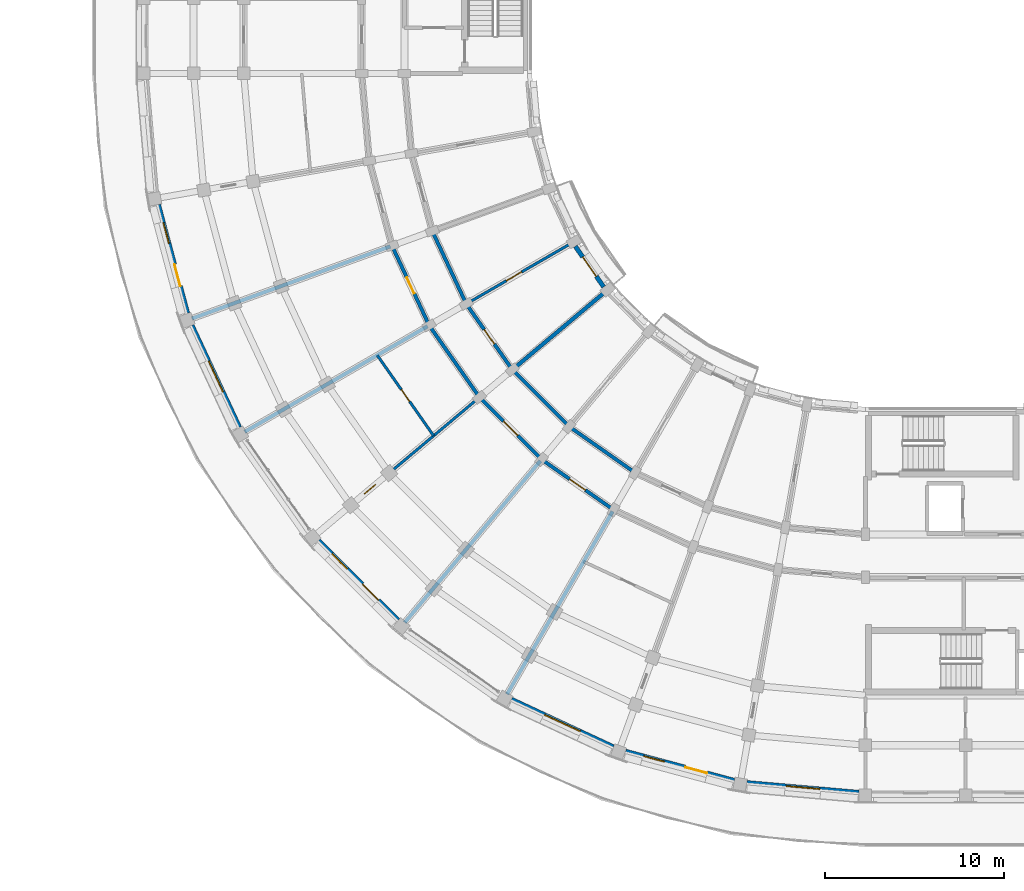
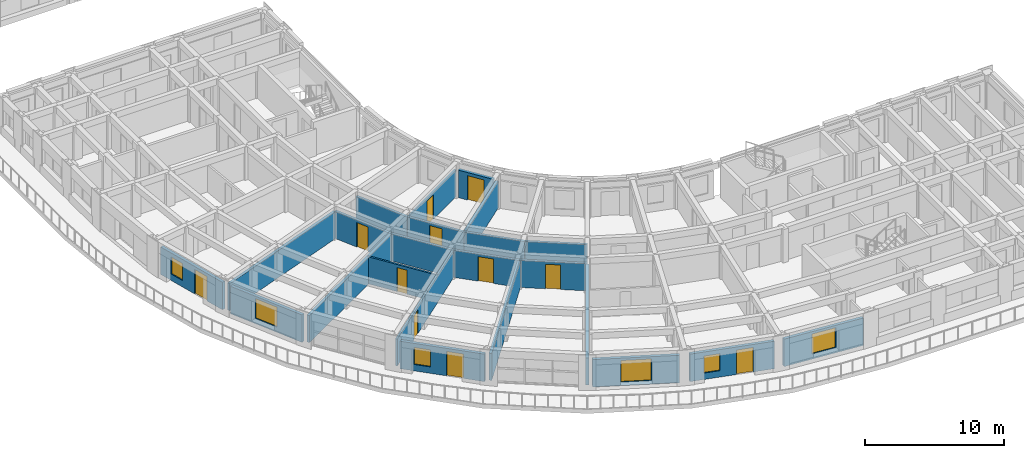
# One storey, part 17 of 57: 23 walls, 11 doors, 6 windows, 17 openings.
"""IFC4 building model written with IfcOpenShell, lengths in metres."""

import ifcopenshell
import ifcopenshell.guid

model = None  # the IFC model being written
_history = None  # IfcOwnerHistory: only IFC2X3 demands one
_inside = {}  # id of a spatial element -> (the spatial element, [elements in it])
_under = {}  # id of a project, library or spatial element -> (it, [spatial elements below it])
_declared = {}  # id of a project -> (the project, [libraries it declares])
_typed = {}  # id of a type object -> (the type object, [elements of that type])
_made_of = {}  # id of a material, layer set ... -> (it, [elements and type objects made of it])


def new_model(schema):
    """Start an empty IFC model of exactly this schema.

    Asked for "IFC4X3", IfcOpenShell would pick the latest addendum, in which some entities
    have other attributes; the version numbers below select the first issue.
    IFC2X3 requires an IfcOwnerHistory on every rooted entity: one is made here for all.
    """
    global model, _history
    if schema == "IFC4X3":
        model = ifcopenshell.file(schema_version=(4, 3, 0, 0))
    else:
        model = ifcopenshell.file(schema=schema)
    _inside.clear()
    _under.clear()
    _declared.clear()
    _typed.clear()
    _made_of.clear()
    _history = None
    if model.schema == "IFC2X3":
        org = make("IfcOrganization", Name="unknown")
        user = make(
            "IfcPersonAndOrganization",
            ThePerson=make("IfcPerson", FamilyName="unknown"),
            TheOrganization=org,
        )
        app = make(
            "IfcApplication",
            ApplicationDeveloper=org,
            Version="unknown",
            ApplicationFullName="unknown",
            ApplicationIdentifier="unknown",
        )
        _history = make(
            "IfcOwnerHistory",
            OwningUser=user,
            OwningApplication=app,
            ChangeAction="ADDED",
            CreationDate=0,
        )
    return model


def make(cls, **values):
    """One entity of the class cls with the attributes given. An attribute that is None is left unset."""
    return model.create_entity(
        cls, **{name: value for name, value in values.items() if value is not None}
    )


def rooted(cls, **values):
    """An entity with a GlobalId (a new one), such as an element, a storey or a relation."""
    return make(cls, GlobalId=ifcopenshell.guid.new(), OwnerHistory=_history, **values)


def si_unit(unit_type, name, prefix=None):
    """IfcSIUnit, for example si_unit("LENGTHUNIT", "METRE", prefix="MILLI")."""
    return make("IfcSIUnit", UnitType=unit_type, Prefix=prefix, Name=name)


def assignment(units):
    """IfcUnitAssignment: the units of a project."""
    return None if units is None else make("IfcUnitAssignment", Units=units)


def point(xyz):
    """IfcCartesianPoint."""
    return None if xyz is None else make("IfcCartesianPoint", Coordinates=xyz)


def direction(xyz):
    """IfcDirection."""
    return None if xyz is None else make("IfcDirection", DirectionRatios=xyz)


def frame(location, z_axis=None, x_axis=None):
    """IfcAxis2Placement3D, a coordinate frame: its origin and axes. An axis left out is left unset."""
    return make(
        "IfcAxis2Placement3D",
        Location=point(location),
        Axis=direction(z_axis),
        RefDirection=direction(x_axis),
    )


def frame_2d(location, x_axis=None):
    """IfcAxis2Placement2D, a coordinate frame in the plane: its origin and x axis."""
    return make(
        "IfcAxis2Placement2D", Location=point(location), RefDirection=direction(x_axis)
    )


def origin():
    """The frame at (0, 0, 0) with its axes left unset."""
    return frame((0.0, 0.0, 0.0))


def place(relative_to, where):
    """IfcLocalPlacement: puts the frame where relative to a parent placement (None: the world)."""
    return make(
        "IfcLocalPlacement", PlacementRelTo=relative_to, RelativePlacement=where
    )


def context(
    kind, dimensions, precision=None, world=None, true_north=None, identifier=None
):
    """IfcGeometricRepresentationContext, for example the 3D "Model" context."""
    return make(
        "IfcGeometricRepresentationContext",
        ContextIdentifier=identifier,
        ContextType=kind,
        CoordinateSpaceDimension=dimensions,
        Precision=precision,
        WorldCoordinateSystem=world,
        TrueNorth=true_north,
    )


def subcontext(parent, identifier, kind, view, scale=None):
    """IfcGeometricRepresentationSubContext, for example "Body" below "Model"."""
    return make(
        "IfcGeometricRepresentationSubContext",
        ContextIdentifier=identifier,
        ContextType=kind,
        ParentContext=parent,
        TargetScale=scale,
        TargetView=view,
    )


def project(units=None, contexts=None):
    """IfcProject with its units and contexts."""
    return rooted(
        "IfcProject",
        Name="project",
        RepresentationContexts=contexts,
        UnitsInContext=assignment(units),
    )


def spatial(cls, under=None, at=None, **own):
    """A site, building, storey or space (cls), placed at a placement, below another one or the project."""
    s = rooted(cls, ObjectPlacement=at, **own)
    if under is not None:
        _under.setdefault(under.id(), (under, []))[1].append(s)
    return s


def profile(cls, at=None, kind="AREA", **sizes):
    """A parametric profile (cls). Its sizes go by their IFC names, for example OverallWidth=200.0."""
    return make(cls, ProfileType=kind, Position=at, **sizes)


def rectangle(**sizes):
    """IfcRectangleProfileDef."""
    return profile("IfcRectangleProfileDef", **sizes)


def extrude(swept, where, along, depth):
    """IfcExtrudedAreaSolid: the profile swept, set in the frame where, extruded along a direction by depth."""
    return make(
        "IfcExtrudedAreaSolid",
        SweptArea=swept,
        Position=where,
        ExtrudedDirection=direction(along),
        Depth=depth,
    )


def shape(context_of_items, identifier, shape_type, items):
    """IfcShapeRepresentation: the items that make up one representation, for example the "Body"."""
    return make(
        "IfcShapeRepresentation",
        ContextOfItems=context_of_items,
        RepresentationIdentifier=identifier,
        RepresentationType=shape_type,
        Items=items,
    )


def material(Name=None, Category=None):
    """IfcMaterial."""
    return make("IfcMaterial", Name=Name, Category=Category)


def layer(
    of_material, thickness, ventilated=None, Name=None, Category=None, Priority=None
):
    """IfcMaterialLayer: one layer of a wall or slab, of a material (None: an air gap)."""
    return make(
        "IfcMaterialLayer",
        Material=of_material,
        LayerThickness=thickness,
        IsVentilated=ventilated,
        Name=Name,
        Category=Category,
        Priority=Priority,
    )


def layer_set(layers, Name=None):
    """IfcMaterialLayerSet."""
    return make("IfcMaterialLayerSet", MaterialLayers=layers, LayerSetName=Name)


def made_of(thing, what):
    """Note that an element or type object is made of a material, layer set ...; save() writes the relation."""
    if what is not None:
        _made_of.setdefault(what.id(), (what, []))[1].append(thing)
    return thing


def type_object(cls, material=None, **own):
    """A type object (cls), such as IfcWallType, which elements share."""
    return made_of(rooted(cls, **own), material)


def element(
    cls,
    number,
    at=None,
    inside=None,
    cuts=None,
    type_object=None,
    material=None,
    context=None,
    identifier="Body",
    shape_type=None,
    held_by="IfcProductDefinitionShape",
    body=None,
    shapes=None,
    **own,
):
    """One element of the class cls, such as IfcWall. Its Tag is "e" and its number.

    at: its placement. inside: the storey or other place that contains it. cuts: it is an
    opening in that element (IfcRelVoidsElement). A single representation is given by context,
    identifier, shape_type and body (its items); several are given by shapes. held_by: the class
    of the entity that holds the representations. save() writes the other relations.
    """
    e = rooted(cls, Tag="e%d" % number, ObjectPlacement=at, **own)
    if body is not None:
        shapes = [shape(context, identifier, shape_type, body)]
    if shapes is not None:
        e.Representation = make(held_by, Representations=shapes)
    if inside is not None:
        _inside.setdefault(inside.id(), (inside, []))[1].append(e)
    if cuts is not None:
        rooted(
            "IfcRelVoidsElement", RelatingBuildingElement=cuts, RelatedOpeningElement=e
        )
    if type_object is not None:
        _typed.setdefault(type_object.id(), (type_object, []))[1].append(e)
    return made_of(e, material)


def fill(opening, filler):
    """IfcRelFillsElement: the door or window that sits in an opening."""
    return rooted(
        "IfcRelFillsElement",
        RelatingOpeningElement=opening,
        RelatedBuildingElement=filler,
    )


def aggregate(whole, parts):
    """IfcRelAggregates: a whole, such as a stair, and the parts it consists of."""
    return rooted("IfcRelAggregates", RelatingObject=whole, RelatedObjects=parts)


def save(model, path):
    """Write the relations noted so far, then the file.

    IfcRelAggregates (storeys below a building ...), IfcRelContainedInSpatialStructure (elements
    in a storey), IfcRelDefinesByType, IfcRelAssociatesMaterial and IfcRelDeclares: one each for
    every whole, place, type object, material and project.
    """
    for whole, parts in _under.values():
        aggregate(whole, parts)
    for where, things in _inside.values():
        rooted(
            "IfcRelContainedInSpatialStructure",
            RelatedElements=things,
            RelatingStructure=where,
        )
    for kind, things in _typed.values():
        rooted("IfcRelDefinesByType", RelatedObjects=things, RelatingType=kind)
    for what, things in _made_of.values():
        rooted("IfcRelAssociatesMaterial", RelatedObjects=things, RelatingMaterial=what)
    for by, libraries in _declared.values():
        rooted("IfcRelDeclares", RelatingContext=by, RelatedDefinitions=libraries)
    model.write(path)


model = new_model("IFC4")

# Units and contexts
model_context = context("Model", 3, precision=1e-05, world=origin(), true_north=direction((0.0, 1.0)))
body_context = subcontext(model_context, "Body", "Model", "MODEL_VIEW")
ifc_project = project(units=[si_unit("LENGTHUNIT", "METRE"), si_unit("AREAUNIT", "SQUARE_METRE"), si_unit("VOLUMEUNIT", "CUBIC_METRE"), si_unit("PLANEANGLEUNIT", "RADIAN"), si_unit("MASSUNIT", "GRAM", prefix="KILO")], contexts=[model_context])

# Site, building, storey
site_placement = place(None, origin())
site = spatial("IfcSite", under=ifc_project, at=site_placement, CompositionType="ELEMENT")
building_placement = place(site_placement, origin())
building = spatial("IfcBuilding", under=site, at=building_placement, Name="Kiranvali Square Residences", CompositionType="ELEMENT")
storey_placement = place(building_placement, frame((0.0, 0.0, 24.449951171875)))
storey = spatial("IfcBuildingStorey", under=building, at=storey_placement, Name="L07", CompositionType="ELEMENT", Elevation=24.449951171875)

# Wall
ifc_material_1 = material(Name="Autoclaved aerated concrete blockwork masonry", Category="masonry")
ifc_layer_1 = layer(ifc_material_1, 0.199951171875)
ifc_layer_set_1 = layer_set([ifc_layer_1], Name="Autoclaved aerated concrete blockwork masonry")
wall_type_1 = type_object("IfcWallType", Name="WL-COR-200", PredefinedType="STANDARD", material=ifc_layer_set_1)
wall_1_placement = place(storey_placement, frame((35.300048828125, 25.8564453125, 0.0), z_axis=(0.0, 0.0, 1.0), x_axis=(-0.819155404658, 0.573571637217, 0.0)))
element("IfcWall", 1, at=wall_1_placement, inside=storey, type_object=wall_type_1, Name="L07 architectural wall WL-L07-C-CCI-3", PredefinedType="STANDARD", context=body_context, shape_type="SweptSolid", body=[
    extrude(rectangle(XDim=4.497314453125, YDim=0.199951171875, at=frame_2d((2.24853515625, 0.0))), origin(), (0.0, 0.0, 1.0), 2.3720703125),
])

# Wall, opening, door
wall_2_placement = place(storey_placement, frame((34.10009765625, 23.778076171875, 0.0), z_axis=(0.0, 0.0, 1.0), x_axis=(-0.819140911474, 0.573592335331, 0.0)))
wall_2 = element("IfcWall", 2, at=wall_2_placement, inside=storey, type_object=wall_type_1, Name="L07 architectural wall WL-L07-C-CCO-3", PredefinedType="STANDARD", context=body_context, shape_type="SweptSolid", body=[
    extrude(rectangle(XDim=4.915771484375, YDim=0.199951171875, at=frame_2d((2.4580078125, 0.0))), origin(), (0.0, 0.0, 1.0), 2.3720703125),
])
opening_1_placement = place(wall_2_placement, frame((1.917724609375, 0.0, 0.0)))
opening_1 = element("IfcOpeningElement", 3, at=opening_1_placement, cuts=wall_2, Name="Opening FD-APT-60C", PredefinedType="OPENING", context=body_context, shape_type="SweptSolid", body=[
    extrude(rectangle(XDim=1.080078125, YDim=2.14990234375, at=frame_2d((0.5400390625, 1.074951171875))), frame((0.0, 0.10986328125, 0.0), z_axis=(0.0, -1.0, 0.0), x_axis=(1.0, 0.0, 0.0)), (0.0, 0.0, 1.0), 0.219970703125),
])
ifc_material_2 = material(Name="Fire-rated acoustic hardwood and mineral-core door assembly", Category="wood")
door_type_1 = type_object("IfcDoorType", Name="DR-APT-1080", OperationType="NOTDEFINED", PredefinedType="DOOR", material=ifc_material_2)
door_1_placement = place(opening_1_placement, origin())
door_1 = element("IfcDoor", 4, at=door_1_placement, inside=storey, type_object=door_type_1, Name="L07 door DR-L07-2179 (DR-APT-1080)", OperationType="SINGLE_SWING_LEFT", OverallHeight=2.14990234375, OverallWidth=1.080078125, PredefinedType="DOOR", context=body_context, shape_type="SweptSolid", body=[
    extrude(rectangle(XDim=1.080078125, YDim=2.14990234375, at=frame_2d((0.5400390625, 1.074951171875))), frame((0.0, 0.02490234375, 0.0), z_axis=(0.0, -1.0, 0.0), x_axis=(1.0, 0.0, 0.0)), (0.0, 0.0, 1.0), 0.050048828125),
])
fill(opening_1, door_1)

# Wall
wall_3_placement = place(storey_placement, frame((31.615966796875, 28.43603515625, 0.0), z_axis=(0.0, 0.0, 1.0), x_axis=(-0.707106781187, 0.707106781187, 0.0)))
element("IfcWall", 5, at=wall_3_placement, inside=storey, type_object=wall_type_1, Name="L07 architectural wall WL-L07-C-CCI-4", PredefinedType="STANDARD", context=body_context, shape_type="SweptSolid", body=[
    extrude(rectangle(XDim=4.4970703125, YDim=0.199951171875, at=frame_2d((2.24853515625, 0.0))), origin(), (0.0, 0.0, 1.0), 2.3720703125),
])

# Wall, opening, door
wall_4_placement = place(storey_placement, frame((30.073486328125, 26.59765625, 0.0), z_axis=(0.0, 0.0, 1.0), x_axis=(-0.707106781187, 0.707106781187, 0.0)))
wall_4 = element("IfcWall", 6, at=wall_4_placement, inside=storey, type_object=wall_type_1, Name="L07 architectural wall WL-L07-C-CCO-4", PredefinedType="STANDARD", context=body_context, shape_type="SweptSolid", body=[
    extrude(rectangle(XDim=4.91552734375, YDim=0.199951171875, at=frame_2d((2.457763671875, 0.0))), origin(), (0.0, 0.0, 1.0), 2.3720703125),
])
opening_2_placement = place(wall_4_placement, frame((1.8876953125, 0.0, 0.0)))
opening_2 = element("IfcOpeningElement", 7, at=opening_2_placement, cuts=wall_4, Name="Opening FD-APT-60D", PredefinedType="OPENING", context=body_context, shape_type="SweptSolid", body=[
    extrude(rectangle(XDim=1.139892578125, YDim=2.14990234375, at=frame_2d((0.56982421875, 1.074951171875))), frame((0.0, 0.10986328125, 0.0), z_axis=(0.0, -1.0, 0.0), x_axis=(1.0, 0.0, 0.0)), (0.0, 0.0, 1.0), 0.219970703125),
])
door_type_2 = type_object("IfcDoorType", Name="DR-APT-1140", OperationType="NOTDEFINED", PredefinedType="DOOR", material=ifc_material_2)
door_2_placement = place(opening_2_placement, frame((1.139892578125, 0.0, 0.0), z_axis=(0.0, 0.0, 1.0), x_axis=(-1.0, 0.0, 0.0)))
door_2 = element("IfcDoor", 8, at=door_2_placement, inside=storey, type_object=door_type_2, Name="L07 door DR-L07-2180 (DR-APT-1140)", OperationType="SINGLE_SWING_RIGHT", OverallHeight=2.14990234375, OverallWidth=1.139892578125, PredefinedType="DOOR", context=body_context, shape_type="SweptSolid", body=[
    extrude(rectangle(XDim=1.139892578125, YDim=2.14990234375, at=frame_2d((0.56982421875, 1.074951171875))), frame((0.0, 0.02490234375, 0.0), z_axis=(0.0, -1.0, 0.0), x_axis=(1.0, 0.0, 0.0)), (0.0, 0.0, 1.0), 0.050048828125),
])
fill(opening_2, door_2)

wall_5_placement = place(storey_placement, frame((28.43603515625, 31.615966796875, 0.0), z_axis=(0.0, 0.0, 1.0), x_axis=(-0.573571637217, 0.819155404658, 0.0)))
wall_5 = element("IfcWall", 9, at=wall_5_placement, inside=storey, type_object=wall_type_1, Name="L07 architectural wall WL-L07-C-CCI-5", PredefinedType="STANDARD", context=body_context, shape_type="SweptSolid", body=[
    extrude(rectangle(XDim=4.497314453125, YDim=0.199951171875, at=frame_2d((2.24853515625, 0.0))), origin(), (0.0, 0.0, 1.0), 2.3720703125),
])
opening_3_placement = place(wall_5_placement, frame((1.74853515625, 0.0, 0.0)))
opening_3 = element("IfcOpeningElement", 10, at=opening_3_placement, cuts=wall_5, Name="Opening FD-APT-60", PredefinedType="OPENING", context=body_context, shape_type="SweptSolid", body=[
    extrude(rectangle(XDim=1.0, YDim=2.14990234375, at=frame_2d((0.5, 1.074951171875))), frame((0.0, 0.10986328125, 0.0), z_axis=(0.0, -1.0, 0.0), x_axis=(1.0, 0.0, 0.0)), (0.0, 0.0, 1.0), 0.219970703125),
])
door_type_3 = type_object("IfcDoorType", Name="DR-APT-1000", OperationType="NOTDEFINED", PredefinedType="DOOR", material=ifc_material_2)
door_3_placement = place(opening_3_placement, origin())
door_3 = element("IfcDoor", 11, at=door_3_placement, inside=storey, type_object=door_type_3, Name="L07 door DR-L07-2187 (DR-APT-1000)", OperationType="SINGLE_SWING_LEFT", OverallHeight=2.14990234375, OverallWidth=1.0, PredefinedType="DOOR", context=body_context, shape_type="SweptSolid", body=[
    extrude(rectangle(XDim=1.0, YDim=2.14990234375, at=frame_2d((0.5, 1.074951171875))), frame((0.0, 0.02490234375, 0.0), z_axis=(0.0, -1.0, 0.0), x_axis=(1.0, 0.0, 0.0)), (0.0, 0.0, 1.0), 0.050048828125),
])
fill(opening_3, door_3)

# Walls
wall_6_placement = place(storey_placement, frame((26.59765625, 30.073486328125, 0.0), z_axis=(0.0, 0.0, 1.0), x_axis=(-0.573592335331, 0.819140911474, 0.0)))
element("IfcWall", 12, at=wall_6_placement, inside=storey, type_object=wall_type_1, Name="L07 architectural wall WL-L07-C-CCO-5", PredefinedType="STANDARD", context=body_context, shape_type="SweptSolid", body=[
    extrude(rectangle(XDim=4.915771484375, YDim=0.199951171875, at=frame_2d((2.4580078125, 0.0))), origin(), (0.0, 0.0, 1.0), 2.3720703125),
])
wall_7_placement = place(storey_placement, frame((25.8564453125, 35.300048828125, 0.0), z_axis=(0.0, 0.0, 1.0), x_axis=(-0.422617978463, 0.906307919131, 0.0)))
element("IfcWall", 13, at=wall_7_placement, inside=storey, type_object=wall_type_1, Name="L07 architectural wall WL-L07-C-CCI-6", PredefinedType="STANDARD", context=body_context, shape_type="SweptSolid", body=[
    extrude(rectangle(XDim=4.497314453125, YDim=0.199951171875, at=frame_2d((2.24853515625, 0.0))), origin(), (0.0, 0.0, 1.0), 2.3720703125),
])

# Wall, opening, door
wall_8_placement = place(storey_placement, frame((23.778076171875, 34.10009765625, 0.0), z_axis=(0.0, 0.0, 1.0), x_axis=(-0.422629854778, 0.906302381024, 0.0)))
wall_8 = element("IfcWall", 14, at=wall_8_placement, inside=storey, type_object=wall_type_1, Name="L07 architectural wall WL-L07-C-CCO-6", PredefinedType="STANDARD", context=body_context, shape_type="SweptSolid", body=[
    extrude(rectangle(XDim=4.915283203125, YDim=0.199951171875, at=frame_2d((2.45751953125, 0.0))), origin(), (0.0, 0.0, 1.0), 2.3720703125),
])
opening_4_placement = place(wall_8_placement, frame((1.957763671875, 0.0, 0.0)))
opening_4 = element("IfcOpeningElement", 15, at=opening_4_placement, cuts=wall_8, Name="Opening FD-APT-60", PredefinedType="OPENING", context=body_context, shape_type="SweptSolid", body=[
    extrude(rectangle(XDim=1.0, YDim=2.14990234375, at=frame_2d((0.5, 1.074951171875))), frame((0.0, 0.10986328125, 0.0), z_axis=(0.0, -1.0, 0.0), x_axis=(1.0, 0.0, 0.0)), (0.0, 0.0, 1.0), 0.219970703125),
])
door_4_placement = place(opening_4_placement, frame((1.0, 0.0, 0.0), z_axis=(0.0, 0.0, 1.0), x_axis=(-1.0, 0.0, 0.0)))
door_4 = element("IfcDoor", 16, at=door_4_placement, inside=storey, type_object=door_type_3, Name="L07 door DR-L07-2182 (DR-APT-1000)", OperationType="SINGLE_SWING_RIGHT", OverallHeight=2.14990234375, OverallWidth=1.0, PredefinedType="DOOR", context=body_context, shape_type="SweptSolid", body=[
    extrude(rectangle(XDim=1.0, YDim=2.14990234375, at=frame_2d((0.5, 1.074951171875))), frame((0.0, 0.02490234375, 0.0), z_axis=(0.0, -1.0, 0.0), x_axis=(1.0, 0.0, 0.0)), (0.0, 0.0, 1.0), 0.050048828125),
])
fill(opening_4, door_4)

# Walls
ifc_layer_2 = layer(ifc_material_1, 0.219970703125)
ifc_layer_set_2 = layer_set([ifc_layer_2], Name="Autoclaved aerated concrete blockwork masonry")
wall_type_2 = type_object("IfcWallType", Name="WL-DEM-220", PredefinedType="STANDARD", material=ifc_layer_set_2)
for number, where, z_axis, x_axis, name in (
    (17, (34.050048828125, 23.69140625, 0.0), (0.0, 0.0, 1.0), (-0.500013290014, -0.866017730655, 0.0), "L07 architectural wall WL-L07-C-RADO-3"),
    (18, (30.009033203125, 26.52099609375, 0.0), (0.0, 0.0, 1.0), (-0.642781220531, -0.766049804211, 0.0), "L07 architectural wall WL-L07-C-RADO-4"),
):
    element("IfcWall", number, at=place(storey_placement, frame(where, z_axis=z_axis, x_axis=x_axis)), inside=storey, type_object=wall_type_2, Name=name, PredefinedType="STANDARD", context=body_context, shape_type="SweptSolid", body=[
        extrude(rectangle(XDim=11.820068359375, YDim=0.219970703125, at=frame_2d((5.91015625, 0.0))), origin(), (0.0, 0.0, 1.0), 2.3720703125),
    ])
wall_9_placement = place(storey_placement, frame((33.645263671875, 35.987060546875, 0.0), z_axis=(0.0, 0.0, 1.0), x_axis=(-0.766046761698, -0.642784846501, 0.0)))
element("IfcWall", 19, at=wall_9_placement, inside=storey, type_object=wall_type_2, Name="L07 architectural wall WL-L07-C-RADI-5", PredefinedType="STANDARD", context=body_context, shape_type="SweptSolid", body=[
    extrude(rectangle(XDim=6.75, YDim=0.219970703125, at=frame_2d((3.375, 0.0))), origin(), (0.0, 0.0, 1.0), 2.3720703125),
])
wall_10_placement = place(storey_placement, frame((23.69140625, 34.050048828125, 0.0), z_axis=(0.0, 0.0, 1.0), x_axis=(-0.866017730655, -0.500013290014, 0.0)))
element("IfcWall", 20, at=wall_10_placement, inside=storey, type_object=wall_type_2, Name="L07 architectural wall WL-L07-C-RADO-6", PredefinedType="STANDARD", context=body_context, shape_type="SweptSolid", body=[
    extrude(rectangle(XDim=11.820068359375, YDim=0.219970703125, at=frame_2d((5.91015625, 0.0))), origin(), (0.0, 0.0, 1.0), 2.3720703125),
])
wall_11_placement = place(storey_placement, frame((21.606689453125, 38.520751953125, 0.0), z_axis=(0.0, 0.0, 1.0), x_axis=(-0.939698102693, -0.342005081534, 0.0)))
element("IfcWall", 21, at=wall_11_placement, inside=storey, type_object=wall_type_2, Name="L07 architectural wall WL-L07-C-RADO-7", PredefinedType="STANDARD", context=body_context, shape_type="SweptSolid", body=[
    extrude(rectangle(XDim=11.81982421875, YDim=0.219970703125, at=frame_2d((5.909912109375, 0.0))), origin(), (0.0, 0.0, 1.0), 2.3720703125),
])

# Wall, opening, window
ifc_material_3 = material(Name="Breathable lime-rendered clay brick masonry", Category="masonry")
ifc_layer_3 = layer(ifc_material_3, 0.25)
ifc_layer_set_3 = layer_set([ifc_layer_3], Name="Breathable lime-rendered clay brick masonry")
wall_type_3 = type_object("IfcWallType", Name="WL-EXT-250", PredefinedType="STANDARD", material=ifc_layer_set_3)
wall_12_placement = place(storey_placement, frame((47.83642578125, 7.957275390625, 0.0), z_axis=(0.0, 0.0, 1.0), x_axis=(-0.996193548987, 0.087168876072, 0.0)))
wall_12 = element("IfcWall", 22, at=wall_12_placement, inside=storey, type_object=wall_type_3, Name="L07 exterior wall C-L07-CRV-00", PredefinedType="STANDARD", context=body_context, shape_type="SweptSolid", body=[
    extrude(rectangle(XDim=6.29052734375, YDim=0.25, at=frame_2d((3.145263671875, 0.0))), origin(), (0.0, 0.0, 1.0), 2.412109375),
])
opening_5_placement = place(wall_12_placement, frame((2.1953125, 0.0, 0.4619140625)))
opening_5 = element("IfcOpeningElement", 23, at=opening_5_placement, cuts=wall_12, Name="Opening W-21", PredefinedType="OPENING", context=body_context, shape_type="SweptSolid", body=[
    extrude(rectangle(XDim=1.89990234375, YDim=1.75, at=frame_2d((0.949951171875, 0.875))), frame((0.0, 0.135009765625, 0.0), z_axis=(0.0, -1.0, 0.0), x_axis=(1.0, 0.0, 0.0)), (0.0, 0.0, 1.0), 0.27001953125),
])
ifc_material_4 = material(Name="Solar-control low-e double glazing", Category="glass")
window_type_1 = type_object("IfcWindowType", Name="WIN-TER-1900x1750", PartitioningType="DOUBLE_PANEL_VERTICAL", PredefinedType="WINDOW", material=ifc_material_4)
window_1_placement = place(opening_5_placement, origin())
window_1 = element("IfcWindow", 24, at=window_1_placement, inside=storey, type_object=window_type_1, Name="L07 recessed window C-L07-CRV-00", OverallHeight=1.75, OverallWidth=1.89990234375, PartitioningType="DOUBLE_PANEL_VERTICAL", PredefinedType="WINDOW", context=body_context, shape_type="SweptSolid", body=[
    extrude(rectangle(XDim=1.89990234375, YDim=1.75, at=frame_2d((0.949951171875, 0.875))), frame((0.0, 0.030029296875, 0.0), z_axis=(0.0, -1.0, 0.0), x_axis=(1.0, 0.0, 0.0)), (0.0, 0.0, 1.0), 0.06005859375),
])
fill(opening_5, window_1)

# Wall, openings, door, window
wall_13_placement = place(storey_placement, frame((40.85400390625, 8.6318359375, 0.0), z_axis=(0.0, 0.0, 1.0), x_axis=(-0.965932807112, 0.258792990912, 0.0)))
wall_13 = element("IfcWall", 25, at=wall_13_placement, inside=storey, type_object=wall_type_3, Name="L07 exterior wall C-L07-CRV-01", PredefinedType="STANDARD", context=body_context, shape_type="SweptSolid", body=[
    extrude(rectangle(XDim=6.29052734375, YDim=0.25, at=frame_2d((3.145263671875, 0.0))), origin(), (0.0, 0.0, 1.0), 2.412109375),
])
opening_6_placement = place(wall_13_placement, frame((4.04345703125, 0.0, 0.56201171875)))
opening_6 = element("IfcOpeningElement", 26, at=opening_6_placement, cuts=wall_13, Name="Opening W-06", PredefinedType="OPENING", context=body_context, shape_type="SweptSolid", body=[
    extrude(rectangle(XDim=1.199951171875, YDim=1.5, at=frame_2d((0.60009765625, 0.75))), frame((0.0, 0.135009765625, 0.0), z_axis=(0.0, -1.0, 0.0), x_axis=(1.0, 0.0, 0.0)), (0.0, 0.0, 1.0), 0.27001953125),
])
opening_7_placement = place(wall_13_placement, frame((1.57177734375, 0.0, 0.0)))
opening_7 = element("IfcOpeningElement", 27, at=opening_7_placement, cuts=wall_13, Name="Opening ED-BAL-2", PredefinedType="OPENING", context=body_context, shape_type="SweptSolid", body=[
    extrude(rectangle(XDim=1.260009765625, YDim=2.14990234375, at=frame_2d((0.6298828125, 1.074951171875))), frame((0.0, 0.135009765625, 0.0), z_axis=(0.0, -1.0, 0.0), x_axis=(1.0, 0.0, 0.0)), (0.0, 0.0, 1.0), 0.27001953125),
])
ifc_material_5 = material(Name="Anodised bronze aluminium framing", Category="aluminium")
door_type_4 = type_object("IfcDoorType", Name="DR-BAL-1260", OperationType="NOTDEFINED", PredefinedType="DOOR", material=ifc_material_5)
door_5_placement = place(opening_7_placement, origin())
door_5 = element("IfcDoor", 28, at=door_5_placement, inside=storey, type_object=door_type_4, Name="L07 balcony terrace door", OperationType="SINGLE_SWING_LEFT", OverallHeight=2.14990234375, OverallWidth=1.260009765625, PredefinedType="DOOR", context=body_context, shape_type="SweptSolid", body=[
    extrude(rectangle(XDim=1.260009765625, YDim=2.14990234375, at=frame_2d((0.6298828125, 1.074951171875))), frame((0.0, 0.02490234375, 0.0), z_axis=(0.0, -1.0, 0.0), x_axis=(1.0, 0.0, 0.0)), (0.0, 0.0, 1.0), 0.050048828125),
])
fill(opening_7, door_5)
window_type_2 = type_object("IfcWindowType", Name="WIN-RES-1200x1500", PartitioningType="SINGLE_PANEL", PredefinedType="WINDOW", material=ifc_material_4)
window_2_placement = place(opening_6_placement, origin())
window_2 = element("IfcWindow", 29, at=window_2_placement, inside=storey, type_object=window_type_2, Name="L07 recessed window C-L07-CRV-01", OverallHeight=1.5, OverallWidth=1.199951171875, PartitioningType="SINGLE_PANEL", PredefinedType="WINDOW", context=body_context, shape_type="SweptSolid", body=[
    extrude(rectangle(XDim=1.199951171875, YDim=1.5, at=frame_2d((0.60009765625, 0.75))), frame((0.0, 0.030029296875, 0.0), z_axis=(0.0, -1.0, 0.0), x_axis=(1.0, 0.0, 0.0)), (0.0, 0.0, 1.0), 0.06005859375),
])
fill(opening_6, window_2)

# Wall, opening, window
wall_14_placement = place(storey_placement, frame((34.094482421875, 10.508544921875, 0.0), z_axis=(0.0, 0.0, 1.0), x_axis=(-0.906304072383, 0.42262622775, 0.0)))
wall_14 = element("IfcWall", 30, at=wall_14_placement, inside=storey, type_object=wall_type_3, Name="L07 exterior wall C-L07-CRV-02", PredefinedType="STANDARD", context=body_context, shape_type="SweptSolid", body=[
    extrude(rectangle(XDim=6.290283203125, YDim=0.25, at=frame_2d((3.14501953125, 0.0))), origin(), (0.0, 0.0, 1.0), 2.412109375),
])
opening_8_placement = place(wall_14_placement, frame((2.045166015625, 0.0, 0.31201171875)))
opening_8 = element("IfcOpeningElement", 31, at=opening_8_placement, cuts=wall_14, Name="Opening W-20", PredefinedType="OPENING", context=body_context, shape_type="SweptSolid", body=[
    extrude(rectangle(XDim=2.199951171875, YDim=1.89990234375, at=frame_2d((1.10009765625, 0.949951171875))), frame((0.0, 0.135009765625, 0.0), z_axis=(0.0, -1.0, 0.0), x_axis=(1.0, 0.0, 0.0)), (0.0, 0.0, 1.0), 0.27001953125),
])
window_type_3 = type_object("IfcWindowType", Name="WIN-TER-2200x1900", PartitioningType="TRIPLE_PANEL_VERTICAL", PredefinedType="WINDOW", material=ifc_material_4)
window_3_placement = place(opening_8_placement, origin())
window_3 = element("IfcWindow", 32, at=window_3_placement, inside=storey, type_object=window_type_3, Name="L07 recessed window C-L07-CRV-02", OverallHeight=1.89990234375, OverallWidth=2.199951171875, PartitioningType="TRIPLE_PANEL_VERTICAL", PredefinedType="WINDOW", context=body_context, shape_type="SweptSolid", body=[
    extrude(rectangle(XDim=2.199951171875, YDim=1.89990234375, at=frame_2d((1.10009765625, 0.949951171875))), frame((0.0, 0.030029296875, 0.0), z_axis=(0.0, -1.0, 0.0), x_axis=(1.0, 0.0, 0.0)), (0.0, 0.0, 1.0), 0.06005859375),
])
fill(opening_8, window_3)

# Wall, openings, door, window
wall_15_placement = place(storey_placement, frame((22.053955078125, 17.60595703125, 0.0), z_axis=(0.0, 0.0, 1.0), x_axis=(-0.707106781187, 0.707106781187, 0.0)))
wall_15 = element("IfcWall", 33, at=wall_15_placement, inside=storey, type_object=wall_type_3, Name="L07 exterior wall C-L07-CRV-04", PredefinedType="STANDARD", context=body_context, shape_type="SweptSolid", body=[
    extrude(rectangle(XDim=6.29052734375, YDim=0.25, at=frame_2d((3.145263671875, 0.0))), origin(), (0.0, 0.0, 1.0), 2.412109375),
])
opening_9_placement = place(wall_15_placement, frame((4.04345703125, 0.0, 0.56201171875)))
opening_9 = element("IfcOpeningElement", 34, at=opening_9_placement, cuts=wall_15, Name="Opening W-06", PredefinedType="OPENING", context=body_context, shape_type="SweptSolid", body=[
    extrude(rectangle(XDim=1.199951171875, YDim=1.5, at=frame_2d((0.60009765625, 0.75))), frame((0.0, 0.135009765625, 0.0), z_axis=(0.0, -1.0, 0.0), x_axis=(1.0, 0.0, 0.0)), (0.0, 0.0, 1.0), 0.27001953125),
])
opening_10_placement = place(wall_15_placement, frame((1.57177734375, 0.0, 0.0)))
opening_10 = element("IfcOpeningElement", 35, at=opening_10_placement, cuts=wall_15, Name="Opening ED-BAL-2", PredefinedType="OPENING", context=body_context, shape_type="SweptSolid", body=[
    extrude(rectangle(XDim=1.260009765625, YDim=2.14990234375, at=frame_2d((0.6298828125, 1.074951171875))), frame((0.0, 0.135009765625, 0.0), z_axis=(0.0, -1.0, 0.0), x_axis=(1.0, 0.0, 0.0)), (0.0, 0.0, 1.0), 0.27001953125),
])
door_6_placement = place(opening_10_placement, origin())
door_6 = element("IfcDoor", 36, at=door_6_placement, inside=storey, type_object=door_type_4, Name="L07 balcony terrace door", OperationType="SINGLE_SWING_RIGHT", OverallHeight=2.14990234375, OverallWidth=1.260009765625, PredefinedType="DOOR", context=body_context, shape_type="SweptSolid", body=[
    extrude(rectangle(XDim=1.260009765625, YDim=2.14990234375, at=frame_2d((0.6298828125, 1.074951171875))), frame((0.0, 0.02490234375, 0.0), z_axis=(0.0, -1.0, 0.0), x_axis=(1.0, 0.0, 0.0)), (0.0, 0.0, 1.0), 0.050048828125),
])
fill(opening_10, door_6)
window_4_placement = place(opening_9_placement, origin())
window_4 = element("IfcWindow", 37, at=window_4_placement, inside=storey, type_object=window_type_2, Name="L07 recessed window C-L07-CRV-04", OverallHeight=1.5, OverallWidth=1.199951171875, PartitioningType="SINGLE_PANEL", PredefinedType="WINDOW", context=body_context, shape_type="SweptSolid", body=[
    extrude(rectangle(XDim=1.199951171875, YDim=1.5, at=frame_2d((0.60009765625, 0.75))), frame((0.0, 0.030029296875, 0.0), z_axis=(0.0, -1.0, 0.0), x_axis=(1.0, 0.0, 0.0)), (0.0, 0.0, 1.0), 0.06005859375),
])
fill(opening_9, window_4)

# Wall, opening, window
wall_16_placement = place(storey_placement, frame((13.1669921875, 28.3935546875, 0.0), z_axis=(0.0, 0.0, 1.0), x_axis=(-0.42262622775, 0.906304072383, 0.0)))
wall_16 = element("IfcWall", 38, at=wall_16_placement, inside=storey, type_object=wall_type_3, Name="L07 exterior wall C-L07-CRV-06", PredefinedType="STANDARD", context=body_context, shape_type="SweptSolid", body=[
    extrude(rectangle(XDim=6.290283203125, YDim=0.25, at=frame_2d((3.14501953125, 0.0))), origin(), (0.0, 0.0, 1.0), 2.412109375),
])
opening_11_placement = place(wall_16_placement, frame((2.1953125, 0.0, 0.4619140625)))
opening_11 = element("IfcOpeningElement", 39, at=opening_11_placement, cuts=wall_16, Name="Opening W-21", PredefinedType="OPENING", context=body_context, shape_type="SweptSolid", body=[
    extrude(rectangle(XDim=1.89990234375, YDim=1.75, at=frame_2d((0.949951171875, 0.875))), frame((0.0, 0.135009765625, 0.0), z_axis=(0.0, -1.0, 0.0), x_axis=(1.0, 0.0, 0.0)), (0.0, 0.0, 1.0), 0.27001953125),
])
window_5_placement = place(opening_11_placement, origin())
window_5 = element("IfcWindow", 40, at=window_5_placement, inside=storey, type_object=window_type_1, Name="L07 recessed window C-L07-CRV-06", OverallHeight=1.75, OverallWidth=1.89990234375, PartitioningType="DOUBLE_PANEL_VERTICAL", PredefinedType="WINDOW", context=body_context, shape_type="SweptSolid", body=[
    extrude(rectangle(XDim=1.89990234375, YDim=1.75, at=frame_2d((0.949951171875, 0.875))), frame((0.0, 0.030029296875, 0.0), z_axis=(0.0, -1.0, 0.0), x_axis=(1.0, 0.0, 0.0)), (0.0, 0.0, 1.0), 0.06005859375),
])
fill(opening_11, window_5)

# Wall, openings, door, window
wall_17_placement = place(storey_placement, frame((10.259765625, 34.77783203125, 0.0), z_axis=(0.0, 0.0, 1.0), x_axis=(-0.258792990912, 0.965932807112, 0.0)))
wall_17 = element("IfcWall", 41, at=wall_17_placement, inside=storey, type_object=wall_type_3, Name="L07 exterior wall C-L07-CRV-07", PredefinedType="STANDARD", context=body_context, shape_type="SweptSolid", body=[
    extrude(rectangle(XDim=6.29052734375, YDim=0.25, at=frame_2d((3.145263671875, 0.0))), origin(), (0.0, 0.0, 1.0), 2.412109375),
])
opening_12_placement = place(wall_17_placement, frame((4.04345703125, 0.0, 0.56201171875)))
opening_12 = element("IfcOpeningElement", 42, at=opening_12_placement, cuts=wall_17, Name="Opening W-06", PredefinedType="OPENING", context=body_context, shape_type="SweptSolid", body=[
    extrude(rectangle(XDim=1.199951171875, YDim=1.5, at=frame_2d((0.60009765625, 0.75))), frame((0.0, 0.135009765625, 0.0), z_axis=(0.0, -1.0, 0.0), x_axis=(1.0, 0.0, 0.0)), (0.0, 0.0, 1.0), 0.27001953125),
])
opening_13_placement = place(wall_17_placement, frame((1.57177734375, 0.0, 0.0)))
opening_13 = element("IfcOpeningElement", 43, at=opening_13_placement, cuts=wall_17, Name="Opening ED-BAL-2", PredefinedType="OPENING", context=body_context, shape_type="SweptSolid", body=[
    extrude(rectangle(XDim=1.260009765625, YDim=2.14990234375, at=frame_2d((0.6298828125, 1.074951171875))), frame((0.0, 0.135009765625, 0.0), z_axis=(0.0, -1.0, 0.0), x_axis=(1.0, 0.0, 0.0)), (0.0, 0.0, 1.0), 0.27001953125),
])
door_7_placement = place(opening_13_placement, origin())
door_7 = element("IfcDoor", 44, at=door_7_placement, inside=storey, type_object=door_type_4, Name="L07 balcony terrace door", OperationType="SINGLE_SWING_LEFT", OverallHeight=2.14990234375, OverallWidth=1.260009765625, PredefinedType="DOOR", context=body_context, shape_type="SweptSolid", body=[
    extrude(rectangle(XDim=1.260009765625, YDim=2.14990234375, at=frame_2d((0.6298828125, 1.074951171875))), frame((0.0, 0.02490234375, 0.0), z_axis=(0.0, -1.0, 0.0), x_axis=(1.0, 0.0, 0.0)), (0.0, 0.0, 1.0), 0.050048828125),
])
fill(opening_13, door_7)
window_6_placement = place(opening_12_placement, origin())
window_6 = element("IfcWindow", 45, at=window_6_placement, inside=storey, type_object=window_type_2, Name="L07 recessed window C-L07-CRV-07", OverallHeight=1.5, OverallWidth=1.199951171875, PartitioningType="SINGLE_PANEL", PredefinedType="WINDOW", context=body_context, shape_type="SweptSolid", body=[
    extrude(rectangle(XDim=1.199951171875, YDim=1.5, at=frame_2d((0.60009765625, 0.75))), frame((0.0, 0.030029296875, 0.0), z_axis=(0.0, -1.0, 0.0), x_axis=(1.0, 0.0, 0.0)), (0.0, 0.0, 1.0), 0.06005859375),
])
fill(opening_12, window_6)

# Wall, opening, door
wall_18_placement = place(storey_placement, frame((33.550537109375, 36.251708984375, 0.0), z_axis=(0.0, 0.0, 1.0), x_axis=(-0.573633885053, 0.819111815273, 0.0)))
wall_18 = element("IfcWall", 46, at=wall_18_placement, inside=storey, type_object=wall_type_3, Name="L07 exterior wall C-L07-GDN-05", PredefinedType="STANDARD", context=body_context, shape_type="SweptSolid", body=[
    extrude(rectangle(XDim=2.769775390625, YDim=0.25, at=frame_2d((1.384765625, 0.0))), origin(), (0.0, 0.0, 1.0), 2.422119140625),
])
opening_14_placement = place(wall_18_placement, frame((0.724853515625, 0.0, 0.0)))
opening_14 = element("IfcOpeningElement", 47, at=opening_14_placement, cuts=wall_18, Name="Opening ED-BAL-3", PredefinedType="OPENING", context=body_context, shape_type="SweptSolid", body=[
    extrude(rectangle(XDim=1.320068359375, YDim=2.14990234375, at=frame_2d((0.66015625, 1.074951171875))), frame((0.0, 0.135009765625, 0.0), z_axis=(0.0, -1.0, 0.0), x_axis=(1.0, 0.0, 0.0)), (0.0, 0.0, 1.0), 0.27001953125),
])
door_type_5 = type_object("IfcDoorType", Name="DR-BAL-1320", OperationType="NOTDEFINED", PredefinedType="DOOR", material=ifc_material_5)
door_8_placement = place(opening_14_placement, frame((1.320068359375, 0.0, 0.0), z_axis=(0.0, 0.0, 1.0), x_axis=(-1.0, 0.0, 0.0)))
door_8 = element("IfcDoor", 48, at=door_8_placement, inside=storey, type_object=door_type_5, Name="L07 balcony terrace door", OperationType="SINGLE_SWING_LEFT", OverallHeight=2.14990234375, OverallWidth=1.320068359375, PredefinedType="DOOR", context=body_context, shape_type="SweptSolid", body=[
    extrude(rectangle(XDim=1.320068359375, YDim=2.14990234375, at=frame_2d((0.66015625, 1.074951171875))), frame((0.0, 0.02490234375, 0.0), z_axis=(0.0, -1.0, 0.0), x_axis=(1.0, 0.0, 0.0)), (0.0, 0.0, 1.0), 0.050048828125),
])
fill(opening_14, door_8)

ifc_material_6 = material(Name="Acoustic gypsum board drylined partition", Category="gypsum")
ifc_layer_4 = layer(ifc_material_6, 0.14990234375)
ifc_layer_set_4 = layer_set([ifc_layer_4], Name="Acoustic gypsum board drylined partition")
wall_type_4 = type_object("IfcWallType", Name="WL-PRT-150", PredefinedType="PARTITIONING", material=ifc_layer_set_4)
wall_19_placement = place(storey_placement, frame((26.52099609375, 30.009033203125, 0.0), z_axis=(0.0, 0.0, 1.0), x_axis=(-0.766049804211, -0.642781220531, 0.0)))
wall_19 = element("IfcWall", 49, at=wall_19_placement, inside=storey, type_object=wall_type_4, Name="L07 architectural wall WL-L07-C-RADO-5", PredefinedType="PARTITIONING", context=body_context, shape_type="SweptSolid", body=[
    extrude(rectangle(XDim=11.820068359375, YDim=0.14990234375, at=frame_2d((5.91015625, 0.0))), origin(), (0.0, 0.0, 1.0), 2.3720703125),
])
opening_15_placement = place(wall_19_placement, frame((7.50048828125, 0.0, 0.0)))
opening_15 = element("IfcOpeningElement", 50, at=opening_15_placement, cuts=wall_19, Name="Opening ID-WET", PredefinedType="OPENING", context=body_context, shape_type="SweptSolid", body=[
    extrude(rectangle(XDim=0.800048828125, YDim=2.10009765625, at=frame_2d((0.39990234375, 1.050048828125))), frame((0.0, 0.0849609375, 0.0), z_axis=(0.0, -1.0, 0.0), x_axis=(1.0, 0.0, 0.0)), (0.0, 0.0, 1.0), 0.169921875),
])
ifc_material_7 = material(Name="Solid seasoned teak hardwood joinery", Category="wood")
door_type_6 = type_object("IfcDoorType", Name="DR-WET-800", OperationType="NOTDEFINED", PredefinedType="DOOR", material=ifc_material_7)
door_9_placement = place(opening_15_placement, origin())
door_9 = element("IfcDoor", 51, at=door_9_placement, inside=storey, type_object=door_type_6, Name="L07 door DR-L07-2173 (DR-WET-800)", OperationType="SINGLE_SWING_LEFT", OverallHeight=2.10009765625, OverallWidth=0.800048828125, PredefinedType="DOOR", context=body_context, shape_type="SweptSolid", body=[
    extrude(rectangle(XDim=0.800048828125, YDim=2.10009765625, at=frame_2d((0.39990234375, 1.050048828125))), frame((0.0, 0.02490234375, 0.0), z_axis=(0.0, -1.0, 0.0), x_axis=(1.0, 0.0, 0.0)), (0.0, 0.0, 1.0), 0.050048828125),
])
fill(opening_15, door_9)

wall_20_placement = place(storey_placement, frame((31.74560546875, 38.699951171875, 0.0), z_axis=(0.0, 0.0, 1.0), x_axis=(-0.866026575979, -0.499997969693, 0.0)))
wall_20 = element("IfcWall", 52, at=wall_20_placement, inside=storey, type_object=wall_type_4, Name="L07 architectural wall WL-L07-C-RADI-6", PredefinedType="PARTITIONING", context=body_context, shape_type="SweptSolid", body=[
    extrude(rectangle(XDim=6.75, YDim=0.14990234375, at=frame_2d((3.375, 0.0))), origin(), (0.0, 0.0, 1.0), 2.3720703125),
])
opening_16_placement = place(wall_20_placement, frame((3.222412109375, 0.0, 0.0)))
opening_16 = element("IfcOpeningElement", 53, at=opening_16_placement, cuts=wall_20, Name="Opening ID-3", PredefinedType="OPENING", context=body_context, shape_type="SweptSolid", body=[
    extrude(rectangle(XDim=0.97998046875, YDim=2.1201171875, at=frame_2d((0.489990234375, 1.06005859375))), frame((0.0, 0.0849609375, 0.0), z_axis=(0.0, -1.0, 0.0), x_axis=(1.0, 0.0, 0.0)), (0.0, 0.0, 1.0), 0.169921875),
])
door_type_7 = type_object("IfcDoorType", Name="DR-INT-980", OperationType="NOTDEFINED", PredefinedType="DOOR", material=ifc_material_7)
door_10_placement = place(opening_16_placement, frame((0.97998046875, 0.0, 0.0), z_axis=(0.0, 0.0, 1.0), x_axis=(-1.0, 0.0, 0.0)))
door_10 = element("IfcDoor", 54, at=door_10_placement, inside=storey, type_object=door_type_7, Name="L07 door DR-L07-2174 (DR-INT-980)", OperationType="SINGLE_SWING_RIGHT", OverallHeight=2.1201171875, OverallWidth=0.97998046875, PredefinedType="DOOR", context=body_context, shape_type="SweptSolid", body=[
    extrude(rectangle(XDim=0.97998046875, YDim=2.1201171875, at=frame_2d((0.489990234375, 1.06005859375))), frame((0.0, 0.02490234375, 0.0), z_axis=(0.0, -1.0, 0.0), x_axis=(1.0, 0.0, 0.0)), (0.0, 0.0, 1.0), 0.050048828125),
])
fill(opening_16, door_10)

ifc_layer_5 = layer(ifc_material_1, 0.14990234375)
ifc_layer_set_5 = layer_set([ifc_layer_5], Name="Autoclaved aerated concrete blockwork masonry")
wall_type_5 = type_object("IfcWallType", Name="WL-WET-150", PredefinedType="PLUMBINGWALL", material=ifc_layer_set_5)
wall_21_placement = place(storey_placement, frame((24.03125, 27.920166015625, 0.0), z_axis=(0.0, 0.0, 1.0), x_axis=(-0.573569599955, 0.819156831143, 0.0)))
wall_21 = element("IfcWall", 55, at=wall_21_placement, inside=storey, type_object=wall_type_5, Name="L07 architectural wall WL-L07-C-CWET-5", PredefinedType="PLUMBINGWALL", context=body_context, shape_type="SweptSolid", body=[
    extrude(rectangle(XDim=5.49951171875, YDim=0.14990234375, at=frame_2d((2.749755859375, 0.0))), origin(), (0.0, 0.0, 1.0), 2.3720703125),
])
opening_17_placement = place(wall_21_placement, frame((2.349853515625, 0.0, 0.0)))
opening_17 = element("IfcOpeningElement", 56, at=opening_17_placement, cuts=wall_21, Name="Opening ID-WET", PredefinedType="OPENING", context=body_context, shape_type="SweptSolid", body=[
    extrude(rectangle(XDim=0.800048828125, YDim=2.10009765625, at=frame_2d((0.39990234375, 1.050048828125))), frame((0.0, 0.0849609375, 0.0), z_axis=(0.0, -1.0, 0.0), x_axis=(1.0, 0.0, 0.0)), (0.0, 0.0, 1.0), 0.169921875),
])
door_11_placement = place(opening_17_placement, origin())
door_11 = element("IfcDoor", 57, at=door_11_placement, inside=storey, type_object=door_type_6, Name="L07 door DR-L07-2181 (DR-WET-800)", OperationType="SINGLE_SWING_LEFT", OverallHeight=2.10009765625, OverallWidth=0.800048828125, PredefinedType="DOOR", context=body_context, shape_type="SweptSolid", body=[
    extrude(rectangle(XDim=0.800048828125, YDim=2.10009765625, at=frame_2d((0.39990234375, 1.050048828125))), frame((0.0, 0.02490234375, 0.0), z_axis=(0.0, -1.0, 0.0), x_axis=(1.0, 0.0, 0.0)), (0.0, 0.0, 1.0), 0.050048828125),
])
fill(opening_17, door_11)

save(model, "model.ifc")
